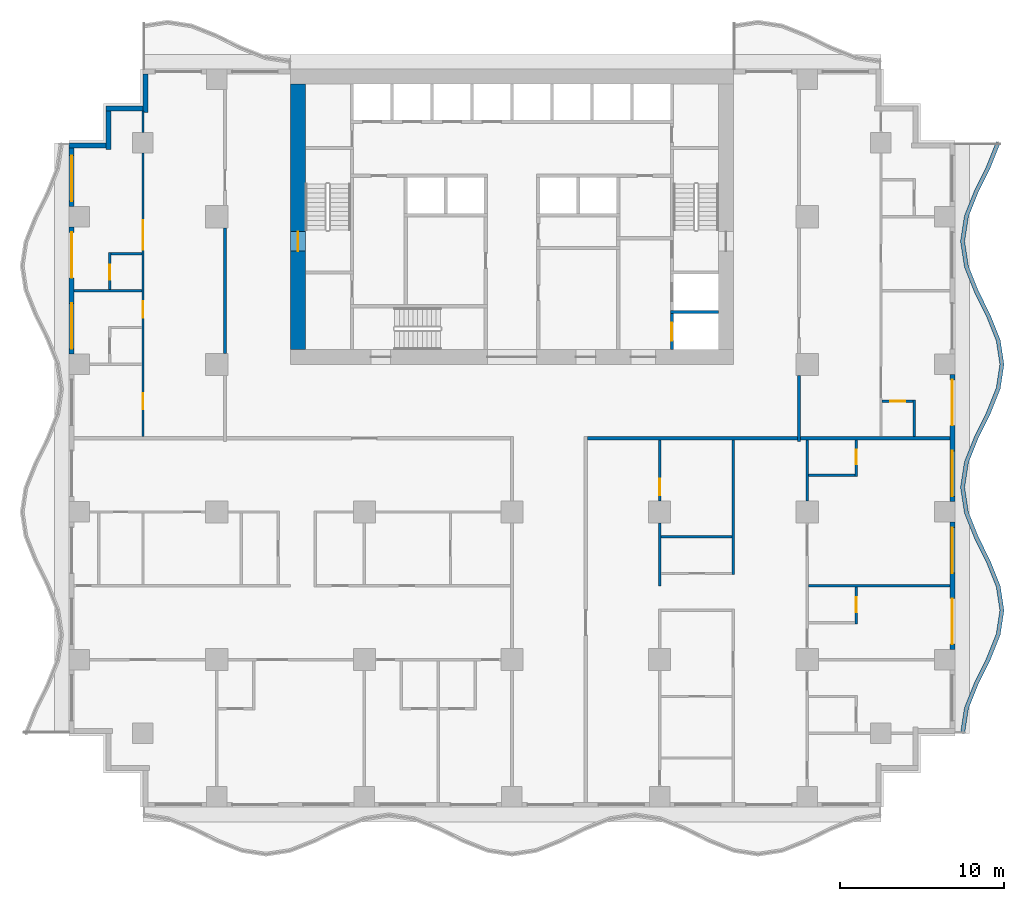
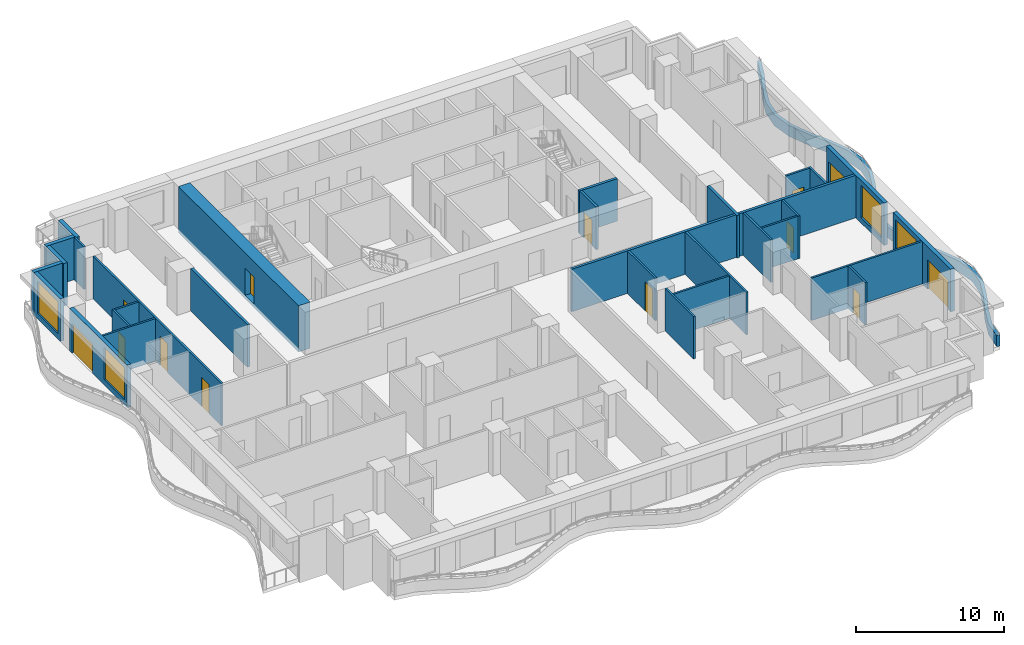
# One storey, part 4 of 13: 32 walls, 13 doors, 4 windows, 17 openings.
"""IFC4 building model written with IfcOpenShell, lengths in metres."""

from ifc_helpers import new_model, si_unit, direction, frame, frame_2d, origin, place, context, subcontext, project, spatial, polyline, rectangle, outline, extrude, material, layer, layer_set, type_object, element, fill, save


model = new_model("IFC4")

# Units and contexts
model_context = context("Model", 3, precision=1e-05, world=origin(), true_north=direction((0.0, 1.0)))
body_context = subcontext(model_context, "Body", "Model", "MODEL_VIEW")
ifc_project = project(units=[si_unit("LENGTHUNIT", "METRE"), si_unit("AREAUNIT", "SQUARE_METRE"), si_unit("VOLUMEUNIT", "CUBIC_METRE"), si_unit("PLANEANGLEUNIT", "RADIAN"), si_unit("MASSUNIT", "GRAM", prefix="KILO")], contexts=[model_context])

# Site, building, storey
site_placement = place(None, origin())
site = spatial("IfcSite", under=ifc_project, at=site_placement, CompositionType="ELEMENT")
building_placement = place(site_placement, origin())
building = spatial("IfcBuilding", under=site, at=building_placement, Name="Orbiselva Terraces", CompositionType="ELEMENT")
storey_placement = place(building_placement, frame((0.0, 0.0, 99.8)))
storey = spatial("IfcBuildingStorey", under=building, at=storey_placement, Name="L25", CompositionType="ELEMENT", Elevation=99.8)

# Wall, opening, door
ifc_material_1 = material(Name="Concrete C80/95", Category="concrete")
ifc_layer_1 = layer(ifc_material_1, 0.9)
ifc_layer_set_1 = layer_set([ifc_layer_1], Name="Concrete C80/95")
wall_type_1 = type_object("IfcWallType", Name="CORE WALL 900", PredefinedType="SHEAR", material=ifc_layer_set_1)
wall_1_placement = place(storey_placement, frame((-13.05, 21.6, -0.3), z_axis=(0.0, 0.0, 1.0), x_axis=(0.0, -1.0, 0.0)))
wall_1 = element("IfcWall", 1, at=wall_1_placement, inside=storey, type_object=wall_type_1, Name="Core wall L25 west", PredefinedType="SHEAR", context=body_context, shape_type="SweptSolid", body=[
    extrude(rectangle(XDim=16.2, YDim=0.9, at=frame_2d((8.1, 0.0))), origin(), (0.0, 0.0, 1.0), 3.8),
])
opening_1_placement = place(wall_1_placement, frame((9.0, 0.0, 0.3)))
opening_1 = element("IfcOpeningElement", 2, at=opening_1_placement, cuts=wall_1, Name="Opening DS1200", PredefinedType="OPENING", context=body_context, shape_type="SweptSolid", body=[
    extrude(rectangle(XDim=1.2, YDim=2.2, at=frame_2d((0.6, 1.1))), frame((0.0, 0.46, 0.0), z_axis=(0.0, -1.0, 0.0), x_axis=(1.0, 0.0, 0.0)), (0.0, 0.0, 1.0), 0.92),
])
ifc_material_2 = material(Name="Steel fire door", Category="steel")
door_type_1 = type_object("IfcDoorType", Name="STAIR DOOR 1200", OperationType="NOTDEFINED", PredefinedType="DOOR", material=ifc_material_2)
door_1_placement = place(opening_1_placement, frame((1.2, 0.0, 0.0), z_axis=(0.0, 0.0, 1.0), x_axis=(-1.0, 0.0, 0.0)))
door_1 = element("IfcDoor", 3, at=door_1_placement, inside=storey, type_object=door_type_1, Name="L25 EXIT STAIR S1 door", OperationType="SINGLE_SWING_RIGHT", OverallHeight=2.2, OverallWidth=1.2, PredefinedType="DOOR", context=body_context, shape_type="SweptSolid", body=[
    extrude(rectangle(XDim=1.2, YDim=2.2, at=frame_2d((0.6, 1.1))), frame((0.0, 0.025, 0.0), z_axis=(0.0, -1.0, 0.0), x_axis=(1.0, 0.0, 0.0)), (0.0, 0.0, 1.0), 0.05),
])
fill(opening_1, door_1)

ifc_material_3 = material(Name="Concrete C60/75", Category="concrete")
ifc_layer_2 = layer(ifc_material_3, 0.2)
ifc_layer_set_2 = layer_set([ifc_layer_2], Name="Concrete C60/75")
wall_type_2 = type_object("IfcWallType", Name="CORE-WALL-SHEAR-200", PredefinedType="SHEAR", material=ifc_layer_set_2)
wall_2_placement = place(storey_placement, frame((9.75, 5.4, 0.0), z_axis=(0.0, 0.0, 1.0), x_axis=(0.0, 1.0, 0.0)))
wall_2 = element("IfcWall", 4, at=wall_2_placement, inside=storey, type_object=wall_type_2, Name="L25 core wall 38", PredefinedType="SHEAR", context=body_context, shape_type="SweptSolid", body=[
    extrude(rectangle(XDim=2.2, YDim=0.2, at=frame_2d((1.1, 0.0))), origin(), (0.0, 0.0, 1.0), 3.5),
])
opening_2_placement = place(wall_2_placement, frame((0.55, 0.0, 0.0)))
opening_2 = element("IfcOpeningElement", 5, at=opening_2_placement, cuts=wall_2, Name="Opening LD-FF1", PredefinedType="OPENING", context=body_context, shape_type="SweptSolid", body=[
    extrude(rectangle(XDim=1.1, YDim=2.1, at=frame_2d((0.55, 1.05))), frame((0.0, 0.11, 0.0), z_axis=(0.0, -1.0, 0.0), x_axis=(1.0, 0.0, 0.0)), (0.0, 0.0, 1.0), 0.22),
])
ifc_material_4 = material(Name="Stainless steel landing door", Category="steel")
door_type_2 = type_object("IfcDoorType", Name="LANDING DOOR 1100", OperationType="SLIDING_TO_LEFT", PredefinedType="DOOR", material=ifc_material_4)
door_2_placement = place(opening_2_placement, origin())
door_2 = element("IfcDoor", 6, at=door_2_placement, inside=storey, type_object=door_type_2, Name="L25 landing door FF1", OperationType="SLIDING_TO_RIGHT", OverallHeight=2.1, OverallWidth=1.1, PredefinedType="DOOR", context=body_context, shape_type="SweptSolid", body=[
    extrude(rectangle(XDim=1.1, YDim=2.1, at=frame_2d((0.55, 1.05))), frame((0.0, 0.025, 0.0), z_axis=(0.0, -1.0, 0.0), x_axis=(1.0, 0.0, 0.0)), (0.0, 0.0, 1.0), 0.05),
])
fill(opening_2, door_2)

# Walls
wall_3_placement = place(storey_placement, frame((9.65, 7.7, 0.0), z_axis=(0.0, 0.0, 1.0), x_axis=(1.0, 0.0, 0.0)))
element("IfcWall", 7, at=wall_3_placement, inside=storey, type_object=wall_type_2, Name="L25 core wall 39", PredefinedType="SHEAR", context=body_context, shape_type="SweptSolid", body=[
    extrude(rectangle(XDim=2.95, YDim=0.2, at=frame_2d((1.475, 0.0))), origin(), (0.0, 0.0, 1.0), 3.5),
])
ifc_material_5 = material(Name="Concrete C40/50", Category="concrete")
ifc_layer_3 = layer(ifc_material_5, 0.25)
ifc_layer_set_3 = layer_set([ifc_layer_3], Name="Concrete C40/50")
wall_type_3 = type_object("IfcWallType", Name="ENV-PLANTER-250x900", PredefinedType="USERDEFINED", material=ifc_layer_set_3)
wall_4_placement = place(storey_placement, origin())
element("IfcWall", 8, at=wall_4_placement, inside=storey, type_object=wall_type_3, Name="Balcony planter L25 E", ObjectType="PLANTER", PredefinedType="USERDEFINED", context=body_context, shape_type="SweptSolid", body=[
    extrude(outline(polyline([(27.6, -18.0), (27.82918, -16.5), (28.42918, -15.0), (29.17082, -13.5), (29.77082, -12.0), (30.0, -10.5), (29.77082, -9.0), (29.17082, -7.5), (28.42918, -6.0), (27.82918, -4.5), (27.6, -3.0), (27.82918, -1.5), (28.42918, 0.0), (29.17082, 1.5), (29.77082, 3.0), (30.0, 4.5), (29.77082, 6.0), (29.17082, 7.5), (28.42918, 9.0), (27.82918, 10.5), (27.6, 12.0), (27.82918, 13.5), (28.42918, 15.0), (29.17082, 16.5), (29.77082, 18.0), (29.538701, 18.092848), (28.942355, 16.601983), (28.200715, 15.101983), (27.586388, 13.566166), (27.347099, 12.0), (27.586388, 10.433834), (28.200715, 8.898017), (28.942355, 7.398017), (29.528028, 5.933834), (29.747099, 4.5), (29.528028, 3.066166), (28.942355, 1.601983), (28.200715, 0.101983), (27.586388, -1.433834), (27.347099, -3.0), (27.586388, -4.566166), (28.200715, -6.101983), (28.942355, -7.601983), (29.528028, -9.066166), (29.747099, -10.5), (29.528028, -11.933834), (28.942355, -13.398017), (28.200715, -14.898017), (27.586388, -16.433834), (27.352868, -17.962242), (27.6, -18.0)])), origin(), (0.0, 0.0, 1.0), 0.9),
])

# Wall, openings, door, window
ifc_material_6 = material(Name="Terracotta cladding on masonry backing", Category="masonry")
ifc_layer_4 = layer(ifc_material_6, 0.3)
ifc_layer_set_4 = layer_set([ifc_layer_4], Name="Terracotta cladding on masonry backing")
wall_type_4 = type_object("IfcWallType", Name="ENV-WALL-TERRACOTTA-300", PredefinedType="SOLIDWALL", material=ifc_layer_set_4)
wall_5_placement = place(storey_placement, frame((26.85, -5.125, 0.0), z_axis=(0.0, 0.0, 1.0), x_axis=(0.0, -1.0, 0.0)))
wall_5 = element("IfcWall", 9, at=wall_5_placement, inside=storey, type_object=wall_type_4, Name="Facade wall L25 E", PredefinedType="SOLIDWALL", context=body_context, shape_type="SweptSolid", body=[
    extrude(rectangle(XDim=7.75, YDim=0.3, at=frame_2d((3.875, 0.0))), origin(), (0.0, 0.0, 1.0), 3.5),
])
opening_3_placement = place(wall_5_placement, frame((4.65, 0.0, 0.0)))
opening_3 = element("IfcOpeningElement", 10, at=opening_3_placement, cuts=wall_5, Name="Opening Z2-C-E12", PredefinedType="OPENING", context=body_context, shape_type="SweptSolid", body=[
    extrude(rectangle(XDim=2.775, YDim=2.4, at=frame_2d((1.3875, 1.2))), frame((0.0, 0.16, 0.0), z_axis=(0.0, -1.0, 0.0), x_axis=(1.0, 0.0, 0.0)), (0.0, 0.0, 1.0), 0.32),
])
opening_4_placement = place(wall_5_placement, frame((0.325, 0.0, 0.45)))
opening_4 = element("IfcOpeningElement", 11, at=opening_4_placement, cuts=wall_5, Name="Opening WN6", PredefinedType="OPENING", context=body_context, shape_type="SweptSolid", body=[
    extrude(rectangle(XDim=2.775, YDim=2.65, at=frame_2d((1.3875, 1.325))), frame((0.0, 0.16, 0.0), z_axis=(0.0, -1.0, 0.0), x_axis=(1.0, 0.0, 0.0)), (0.0, 0.0, 1.0), 0.32),
])
ifc_material_7 = material(Name="Clear low-e glazing in aluminium frame", Category="aluminium")
door_type_3 = type_object("IfcDoorType", Name="BALCONY DOOR 2775 X 2400", OperationType="DOUBLE_DOOR_SLIDING", PredefinedType="DOOR", material=ifc_material_7)
door_3_placement = place(opening_3_placement, origin())
door_3 = element("IfcDoor", 12, at=door_3_placement, inside=storey, type_object=door_type_3, Name="Z2-C-E12", OperationType="SINGLE_SWING_LEFT", OverallHeight=2.4, OverallWidth=2.775, PredefinedType="DOOR", context=body_context, shape_type="SweptSolid", body=[
    extrude(rectangle(XDim=2.775, YDim=2.4, at=frame_2d((1.3875, 1.2))), frame((0.0, 0.025, 0.0), z_axis=(0.0, -1.0, 0.0), x_axis=(1.0, 0.0, 0.0)), (0.0, 0.0, 1.0), 0.05),
])
fill(opening_3, door_3)
window_type = type_object("IfcWindowType", Name="WINDOW 2775 X 2650 S450", PartitioningType="TRIPLE_PANEL_VERTICAL", PredefinedType="WINDOW", material=ifc_material_7)
window_1_placement = place(opening_4_placement, origin())
window_1 = element("IfcWindow", 13, at=window_1_placement, inside=storey, type_object=window_type, Name="Window L25 E", OverallHeight=2.65, OverallWidth=2.775, PartitioningType="SINGLE_PANEL", PredefinedType="WINDOW", context=body_context, shape_type="SweptSolid", body=[
    extrude(rectangle(XDim=2.775, YDim=2.65, at=frame_2d((1.3875, 1.325))), frame((0.0, 0.03, 0.0), z_axis=(0.0, -1.0, 0.0), x_axis=(1.0, 0.0, 0.0)), (0.0, 0.0, 1.0), 0.06),
])
fill(opening_4, window_1)

wall_6_placement = place(storey_placement, frame((26.85, 3.875, 0.0), z_axis=(0.0, 0.0, 1.0), x_axis=(0.0, -1.0, 0.0)))
wall_6 = element("IfcWall", 14, at=wall_6_placement, inside=storey, type_object=wall_type_4, Name="Facade wall L25 E", PredefinedType="SOLIDWALL", context=body_context, shape_type="SweptSolid", body=[
    extrude(rectangle(XDim=7.75, YDim=0.3, at=frame_2d((3.875, 0.0))), origin(), (0.0, 0.0, 1.0), 3.5),
])
opening_5_placement = place(wall_6_placement, frame((4.65, 0.0, 0.45)))
opening_5 = element("IfcOpeningElement", 15, at=opening_5_placement, cuts=wall_6, Name="Opening WN6", PredefinedType="OPENING", context=body_context, shape_type="SweptSolid", body=[
    extrude(rectangle(XDim=2.775, YDim=2.65, at=frame_2d((1.3875, 1.325))), frame((0.0, 0.16, 0.0), z_axis=(0.0, -1.0, 0.0), x_axis=(1.0, 0.0, 0.0)), (0.0, 0.0, 1.0), 0.32),
])
opening_6_placement = place(wall_6_placement, frame((0.325, 0.0, 0.0)))
opening_6 = element("IfcOpeningElement", 16, at=opening_6_placement, cuts=wall_6, Name="Opening Z2-C-E17", PredefinedType="OPENING", context=body_context, shape_type="SweptSolid", body=[
    extrude(rectangle(XDim=2.775, YDim=2.4, at=frame_2d((1.3875, 1.2))), frame((0.0, 0.16, 0.0), z_axis=(0.0, -1.0, 0.0), x_axis=(1.0, 0.0, 0.0)), (0.0, 0.0, 1.0), 0.32),
])
door_4_placement = place(opening_6_placement, origin())
door_4 = element("IfcDoor", 17, at=door_4_placement, inside=storey, type_object=door_type_3, Name="Z2-C-E17", OperationType="SINGLE_SWING_LEFT", OverallHeight=2.4, OverallWidth=2.775, PredefinedType="DOOR", context=body_context, shape_type="SweptSolid", body=[
    extrude(rectangle(XDim=2.775, YDim=2.4, at=frame_2d((1.3875, 1.2))), frame((0.0, 0.025, 0.0), z_axis=(0.0, -1.0, 0.0), x_axis=(1.0, 0.0, 0.0)), (0.0, 0.0, 1.0), 0.05),
])
fill(opening_6, door_4)
window_2_placement = place(opening_5_placement, origin())
window_2 = element("IfcWindow", 18, at=window_2_placement, inside=storey, type_object=window_type, Name="Window L25 E", OverallHeight=2.65, OverallWidth=2.775, PartitioningType="SINGLE_PANEL", PredefinedType="WINDOW", context=body_context, shape_type="SweptSolid", body=[
    extrude(rectangle(XDim=2.775, YDim=2.65, at=frame_2d((1.3875, 1.325))), frame((0.0, 0.03, 0.0), z_axis=(0.0, -1.0, 0.0), x_axis=(1.0, 0.0, 0.0)), (0.0, 0.0, 1.0), 0.06),
])
fill(opening_5, window_2)

# Walls
wall_7_placement = place(storey_placement, frame((-22.35, 19.85, 0.0), z_axis=(0.0, 0.0, 1.0), x_axis=(0.0, 1.0, 0.0)))
element("IfcWall", 19, at=wall_7_placement, inside=storey, type_object=wall_type_4, Name="Facade wall L25 STEP", PredefinedType="SOLIDWALL", context=body_context, shape_type="SweptSolid", body=[
    extrude(rectangle(XDim=2.35, YDim=0.3, at=frame_2d((1.175, 0.0))), origin(), (0.0, 0.0, 1.0), 3.5),
])
wall_8_placement = place(storey_placement, frame((-24.75, 20.1, 0.0), z_axis=(0.0, 0.0, 1.0), x_axis=(1.0, 0.0, 0.0)))
element("IfcWall", 20, at=wall_8_placement, inside=storey, type_object=wall_type_4, Name="Facade wall L25 STEP", PredefinedType="SOLIDWALL", context=body_context, shape_type="SweptSolid", body=[
    extrude(rectangle(XDim=2.25, YDim=0.3, at=frame_2d((1.125, 0.0))), origin(), (0.0, 0.0, 1.0), 3.5),
])
wall_9_placement = place(storey_placement, frame((-24.6, 17.6, 0.0), z_axis=(0.0, 0.0, 1.0), x_axis=(0.0, 1.0, 0.0)))
element("IfcWall", 21, at=wall_9_placement, inside=storey, type_object=wall_type_4, Name="Facade wall L25 STEP", PredefinedType="SOLIDWALL", context=body_context, shape_type="SweptSolid", body=[
    extrude(rectangle(XDim=2.35, YDim=0.3, at=frame_2d((1.175, 0.0))), origin(), (0.0, 0.0, 1.0), 3.5),
])
wall_10_placement = place(storey_placement, frame((-27.0, 17.85, 0.0), z_axis=(0.0, 0.0, 1.0), x_axis=(1.0, 0.0, 0.0)))
element("IfcWall", 22, at=wall_10_placement, inside=storey, type_object=wall_type_4, Name="Facade wall L25 STEP", PredefinedType="SOLIDWALL", context=body_context, shape_type="SweptSolid", body=[
    extrude(rectangle(XDim=2.25, YDim=0.3, at=frame_2d((1.125, 0.0))), origin(), (0.0, 0.0, 1.0), 3.5),
])

# Wall, opening, window
wall_11_placement = place(storey_placement, frame((-26.85, 14.125, 0.0), z_axis=(0.0, 0.0, 1.0), x_axis=(0.0, 1.0, 0.0)))
wall_11 = element("IfcWall", 23, at=wall_11_placement, inside=storey, type_object=wall_type_4, Name="Facade wall L25 W", PredefinedType="SOLIDWALL", context=body_context, shape_type="SweptSolid", body=[
    extrude(rectangle(XDim=3.575, YDim=0.3, at=frame_2d((1.7875, 0.0))), origin(), (0.0, 0.0, 1.0), 3.5),
])
opening_7_placement = place(wall_11_placement, frame((0.325, 0.0, 0.45)))
opening_7 = element("IfcOpeningElement", 24, at=opening_7_placement, cuts=wall_11, Name="Opening WN6", PredefinedType="OPENING", context=body_context, shape_type="SweptSolid", body=[
    extrude(rectangle(XDim=2.775, YDim=2.65, at=frame_2d((1.3875, 1.325))), frame((0.0, 0.16, 0.0), z_axis=(0.0, -1.0, 0.0), x_axis=(1.0, 0.0, 0.0)), (0.0, 0.0, 1.0), 0.32),
])
window_3_placement = place(opening_7_placement, origin())
window_3 = element("IfcWindow", 25, at=window_3_placement, inside=storey, type_object=window_type, Name="Window L25 W", OverallHeight=2.65, OverallWidth=2.775, PartitioningType="SINGLE_PANEL", PredefinedType="WINDOW", context=body_context, shape_type="SweptSolid", body=[
    extrude(rectangle(XDim=2.775, YDim=2.65, at=frame_2d((1.3875, 1.325))), frame((0.0, 0.03, 0.0), z_axis=(0.0, -1.0, 0.0), x_axis=(1.0, 0.0, 0.0)), (0.0, 0.0, 1.0), 0.06),
])
fill(opening_7, window_3)

# Wall, openings, door, window
wall_12_placement = place(storey_placement, frame((-26.85, 5.125, 0.0), z_axis=(0.0, 0.0, 1.0), x_axis=(0.0, 1.0, 0.0)))
wall_12 = element("IfcWall", 26, at=wall_12_placement, inside=storey, type_object=wall_type_4, Name="Facade wall L25 W", PredefinedType="SOLIDWALL", context=body_context, shape_type="SweptSolid", body=[
    extrude(rectangle(XDim=7.75, YDim=0.3, at=frame_2d((3.875, 0.0))), origin(), (0.0, 0.0, 1.0), 3.5),
])
opening_8_placement = place(wall_12_placement, frame((4.65, 0.0, 0.0)))
opening_8 = element("IfcOpeningElement", 27, at=opening_8_placement, cuts=wall_12, Name="Opening Z2-C-E15", PredefinedType="OPENING", context=body_context, shape_type="SweptSolid", body=[
    extrude(rectangle(XDim=2.775, YDim=2.4, at=frame_2d((1.3875, 1.2))), frame((0.0, 0.16, 0.0), z_axis=(0.0, -1.0, 0.0), x_axis=(1.0, 0.0, 0.0)), (0.0, 0.0, 1.0), 0.32),
])
opening_9_placement = place(wall_12_placement, frame((0.325, 0.0, 0.45)))
opening_9 = element("IfcOpeningElement", 28, at=opening_9_placement, cuts=wall_12, Name="Opening WN6", PredefinedType="OPENING", context=body_context, shape_type="SweptSolid", body=[
    extrude(rectangle(XDim=2.775, YDim=2.65, at=frame_2d((1.3875, 1.325))), frame((0.0, 0.16, 0.0), z_axis=(0.0, -1.0, 0.0), x_axis=(1.0, 0.0, 0.0)), (0.0, 0.0, 1.0), 0.32),
])
door_5_placement = place(opening_8_placement, origin())
door_5 = element("IfcDoor", 29, at=door_5_placement, inside=storey, type_object=door_type_3, Name="Z2-C-E15", OperationType="SINGLE_SWING_LEFT", OverallHeight=2.4, OverallWidth=2.775, PredefinedType="DOOR", context=body_context, shape_type="SweptSolid", body=[
    extrude(rectangle(XDim=2.775, YDim=2.4, at=frame_2d((1.3875, 1.2))), frame((0.0, 0.025, 0.0), z_axis=(0.0, -1.0, 0.0), x_axis=(1.0, 0.0, 0.0)), (0.0, 0.0, 1.0), 0.05),
])
fill(opening_8, door_5)
window_4_placement = place(opening_9_placement, origin())
window_4 = element("IfcWindow", 30, at=window_4_placement, inside=storey, type_object=window_type, Name="Window L25 W", OverallHeight=2.65, OverallWidth=2.775, PartitioningType="SINGLE_PANEL", PredefinedType="WINDOW", context=body_context, shape_type="SweptSolid", body=[
    extrude(rectangle(XDim=2.775, YDim=2.65, at=frame_2d((1.3875, 1.325))), frame((0.0, 0.03, 0.0), z_axis=(0.0, -1.0, 0.0), x_axis=(1.0, 0.0, 0.0)), (0.0, 0.0, 1.0), 0.06),
])
fill(opening_9, window_4)

# Walls
ifc_material_8 = material(Name="Plasterboard on steel stud partition", Category="steel")
ifc_layer_5 = layer(ifc_material_8, 0.2)
ifc_layer_set_5 = layer_set([ifc_layer_5], Name="Plasterboard on steel stud partition")
wall_type_5 = type_object("IfcWallType", Name="UNIT-ENTRANCE-WALL-200", PredefinedType="PARTITIONING", material=ifc_layer_set_5)
wall_13_placement = place(storey_placement, frame((4.6, 0.0, 0.0), z_axis=(0.0, 0.0, 1.0), x_axis=(1.0, 0.0, 0.0)))
element("IfcWall", 31, at=wall_13_placement, inside=storey, type_object=wall_type_5, Name="PARTITION L25-026", PredefinedType="PARTITIONING", context=body_context, shape_type="SweptSolid", body=[
    extrude(rectangle(XDim=12.8, YDim=0.2, at=frame_2d((6.4, 0.0))), origin(), (0.0, 0.0, 1.0), 3.5),
])
wall_14_placement = place(storey_placement, frame((-17.5, 5.175, 0.0), z_axis=(0.0, 0.0, 1.0), x_axis=(0.0, 1.0, 0.0)))
element("IfcWall", 32, at=wall_14_placement, inside=storey, type_object=wall_type_5, Name="PARTITION L25-045", PredefinedType="PARTITIONING", context=body_context, shape_type="SweptSolid", body=[
    extrude(rectangle(XDim=7.65, YDim=0.2, at=frame_2d((3.825, 0.0))), origin(), (0.0, 0.0, 1.0), 3.5),
])
wall_15_placement = place(storey_placement, frame((17.5, -0.2, 0.0), z_axis=(0.0, 0.0, 1.0), x_axis=(0.0, 1.0, 0.0)))
element("IfcWall", 33, at=wall_15_placement, inside=storey, type_object=wall_type_5, Name="PARTITION L25-067", PredefinedType="PARTITIONING", context=body_context, shape_type="SweptSolid", body=[
    extrude(rectangle(XDim=4.025, YDim=0.2, at=frame_2d((2.0125, 0.0))), origin(), (0.0, 0.0, 1.0), 3.5),
])
ifc_layer_6 = layer(ifc_material_8, 0.15)
ifc_layer_set_6 = layer_set([ifc_layer_6], Name="Plasterboard on steel stud partition")
wall_type_6 = type_object("IfcWallType", Name="UNIT-PARTITION-150", PredefinedType="PARTITIONING", material=ifc_layer_set_6)
wall_16_placement = place(storey_placement, frame((18.075, -9.0, 0.0), z_axis=(0.0, 0.0, 1.0), x_axis=(1.0, 0.0, 0.0)))
element("IfcWall", 34, at=wall_16_placement, inside=storey, type_object=wall_type_6, Name="PARTITION L25-017", PredefinedType="PARTITIONING", context=body_context, shape_type="SweptSolid", body=[
    extrude(rectangle(XDim=8.625, YDim=0.15, at=frame_2d((4.3125, 0.0))), origin(), (0.0, 0.0, 1.0), 3.5),
])
wall_17_placement = place(storey_placement, frame((9.075, -6.0, 0.0), z_axis=(0.0, 0.0, 1.0), x_axis=(1.0, 0.0, 0.0)))
element("IfcWall", 35, at=wall_17_placement, inside=storey, type_object=wall_type_6, Name="PARTITION L25-019", PredefinedType="PARTITIONING", context=body_context, shape_type="SweptSolid", body=[
    extrude(rectangle(XDim=4.35, YDim=0.15, at=frame_2d((2.175, 0.0))), origin(), (0.0, 0.0, 1.0), 3.5),
])
wall_18_placement = place(storey_placement, frame((18.075, -2.25, 0.0), z_axis=(0.0, 0.0, 1.0), x_axis=(1.0, 0.0, 0.0)))
element("IfcWall", 36, at=wall_18_placement, inside=storey, type_object=wall_type_6, Name="PARTITION L25-024", PredefinedType="PARTITIONING", context=body_context, shape_type="SweptSolid", body=[
    extrude(rectangle(XDim=2.85, YDim=0.15, at=frame_2d((1.425, 0.0))), origin(), (0.0, 0.0, 1.0), 3.5),
])

# Wall, opening, door
wall_19_placement = place(storey_placement, frame((24.45, 2.25, 0.0), z_axis=(0.0, 0.0, 1.0), x_axis=(-1.0, 0.0, 0.0)))
wall_19 = element("IfcWall", 37, at=wall_19_placement, inside=storey, type_object=wall_type_6, Name="PARTITION L25-029", PredefinedType="PARTITIONING", context=body_context, shape_type="SweptSolid", body=[
    extrude(rectangle(XDim=1.875, YDim=0.15, at=frame_2d((0.9375, 0.0))), origin(), (0.0, 0.0, 1.0), 3.5),
])
opening_10_placement = place(wall_19_placement, frame((0.475, 0.0, 0.0)))
opening_10 = element("IfcOpeningElement", 38, at=opening_10_placement, cuts=wall_19, Name="Opening Z2-C-09", PredefinedType="OPENING", context=body_context, shape_type="SweptSolid", body=[
    extrude(rectangle(XDim=0.9, YDim=2.1, at=frame_2d((0.45, 1.05))), frame((0.0, 0.085, 0.0), z_axis=(0.0, -1.0, 0.0), x_axis=(1.0, 0.0, 0.0)), (0.0, 0.0, 1.0), 0.17),
])
ifc_material_9 = material(Name="Painted timber door leaf", Category="wood")
door_type_4 = type_object("IfcDoorType", Name="BATH DOOR 900", OperationType="NOTDEFINED", PredefinedType="DOOR", material=ifc_material_9)
door_6_placement = place(opening_10_placement, origin())
door_6 = element("IfcDoor", 39, at=door_6_placement, inside=storey, type_object=door_type_4, Name="Z2-C-09", OperationType="SINGLE_SWING_LEFT", OverallHeight=2.1, OverallWidth=0.9, PredefinedType="DOOR", context=body_context, shape_type="SweptSolid", body=[
    extrude(rectangle(XDim=0.9, YDim=2.1, at=frame_2d((0.45, 1.05))), frame((0.0, 0.025, 0.0), z_axis=(0.0, -1.0, 0.0), x_axis=(1.0, 0.0, 0.0)), (0.0, 0.0, 1.0), 0.05),
])
fill(opening_10, door_6)

# Walls
wall_20_placement = place(storey_placement, frame((-26.7, 9.0, 0.0), z_axis=(0.0, 0.0, 1.0), x_axis=(1.0, 0.0, 0.0)))
element("IfcWall", 40, at=wall_20_placement, inside=storey, type_object=wall_type_6, Name="PARTITION L25-032", PredefinedType="PARTITIONING", context=body_context, shape_type="SweptSolid", body=[
    extrude(rectangle(XDim=4.125, YDim=0.15, at=frame_2d((2.0625, 0.0))), origin(), (0.0, 0.0, 1.0), 3.5),
])
wall_21_placement = place(storey_placement, frame((-24.45, 11.25, 0.0), z_axis=(0.0, 0.0, 1.0), x_axis=(1.0, 0.0, 0.0)))
element("IfcWall", 41, at=wall_21_placement, inside=storey, type_object=wall_type_6, Name="PARTITION L25-034", PredefinedType="PARTITIONING", context=body_context, shape_type="SweptSolid", body=[
    extrude(rectangle(XDim=1.875, YDim=0.15, at=frame_2d((0.9375, 0.0))), origin(), (0.0, 0.0, 1.0), 3.5),
])

# Wall, opening, door
wall_22_placement = place(storey_placement, frame((-24.525, 11.325, 0.0), z_axis=(0.0, 0.0, 1.0), x_axis=(0.0, -1.0, 0.0)))
wall_22 = element("IfcWall", 42, at=wall_22_placement, inside=storey, type_object=wall_type_6, Name="PARTITION L25-039", PredefinedType="PARTITIONING", context=body_context, shape_type="SweptSolid", body=[
    extrude(rectangle(XDim=2.25, YDim=0.15, at=frame_2d((1.125, 0.0))), origin(), (0.0, 0.0, 1.0), 3.5),
])
opening_11_placement = place(wall_22_placement, frame((0.75, 0.0, 0.0)))
opening_11 = element("IfcOpeningElement", 43, at=opening_11_placement, cuts=wall_22, Name="Opening Z2-C-06", PredefinedType="OPENING", context=body_context, shape_type="SweptSolid", body=[
    extrude(rectangle(XDim=0.9, YDim=2.1, at=frame_2d((0.45, 1.05))), frame((0.0, 0.085, 0.0), z_axis=(0.0, -1.0, 0.0), x_axis=(1.0, 0.0, 0.0)), (0.0, 0.0, 1.0), 0.17),
])
door_7_placement = place(opening_11_placement, origin())
door_7 = element("IfcDoor", 44, at=door_7_placement, inside=storey, type_object=door_type_4, Name="Z2-C-06", OperationType="SINGLE_SWING_RIGHT", OverallHeight=2.1, OverallWidth=0.9, PredefinedType="DOOR", context=body_context, shape_type="SweptSolid", body=[
    extrude(rectangle(XDim=0.9, YDim=2.1, at=frame_2d((0.45, 1.05))), frame((0.0, 0.025, 0.0), z_axis=(0.0, -1.0, 0.0), x_axis=(1.0, 0.0, 0.0)), (0.0, 0.0, 1.0), 0.05),
])
fill(opening_11, door_7)

# Wall, openings, doors
wall_23_placement = place(storey_placement, frame((-22.5, 0.1, 0.0), z_axis=(0.0, 0.0, 1.0), x_axis=(0.0, 1.0, 0.0)))
wall_23 = element("IfcWall", 45, at=wall_23_placement, inside=storey, type_object=wall_type_6, Name="PARTITION L25-041", PredefinedType="PARTITIONING", context=body_context, shape_type="SweptSolid", body=[
    extrude(rectangle(XDim=17.275, YDim=0.15, at=frame_2d((8.6375, 0.0))), origin(), (0.0, 0.0, 1.0), 3.5),
])
opening_12_placement = place(wall_23_placement, frame((1.65, 0.0, 0.0)))
opening_12 = element("IfcOpeningElement", 46, at=opening_12_placement, cuts=wall_23, Name="Opening Z2-C-02", PredefinedType="OPENING", context=body_context, shape_type="SweptSolid", body=[
    extrude(rectangle(XDim=1.0, YDim=2.4, at=frame_2d((0.5, 1.2))), frame((0.0, 0.085, 0.0), z_axis=(0.0, -1.0, 0.0), x_axis=(1.0, 0.0, 0.0)), (0.0, 0.0, 1.0), 0.17),
])
opening_13_placement = place(wall_23_placement, frame((7.25, 0.0, 0.0)))
opening_13 = element("IfcOpeningElement", 47, at=opening_13_placement, cuts=wall_23, Name="Opening Z2-C-03", PredefinedType="OPENING", context=body_context, shape_type="SweptSolid", body=[
    extrude(rectangle(XDim=1.0, YDim=2.4, at=frame_2d((0.5, 1.2))), frame((0.0, 0.085, 0.0), z_axis=(0.0, -1.0, 0.0), x_axis=(1.0, 0.0, 0.0)), (0.0, 0.0, 1.0), 0.17),
])
opening_14_placement = place(wall_23_placement, frame((11.4, 0.0, 0.0)))
opening_14 = element("IfcOpeningElement", 48, at=opening_14_placement, cuts=wall_23, Name="Opening Z2-C-05", PredefinedType="OPENING", context=body_context, shape_type="SweptSolid", body=[
    extrude(rectangle(XDim=1.8, YDim=2.4, at=frame_2d((0.9, 1.2))), frame((0.0, 0.085, 0.0), z_axis=(0.0, -1.0, 0.0), x_axis=(1.0, 0.0, 0.0)), (0.0, 0.0, 1.0), 0.17),
])
door_type_5 = type_object("IfcDoorType", Name="DOUBLE DOOR 1800", OperationType="NOTDEFINED", PredefinedType="DOOR", material=ifc_material_9)
door_8_placement = place(opening_14_placement, origin())
door_8 = element("IfcDoor", 49, at=door_8_placement, inside=storey, type_object=door_type_5, Name="Z2-C-05", OperationType="DOUBLE_DOOR_SINGLE_SWING", OverallHeight=2.4, OverallWidth=1.8, PredefinedType="DOOR", context=body_context, shape_type="SweptSolid", body=[
    extrude(rectangle(XDim=1.8, YDim=2.4, at=frame_2d((0.9, 1.2))), frame((0.0, 0.025, 0.0), z_axis=(0.0, -1.0, 0.0), x_axis=(1.0, 0.0, 0.0)), (0.0, 0.0, 1.0), 0.05),
])
fill(opening_14, door_8)
door_type_6 = type_object("IfcDoorType", Name="ROOM DOOR 1000", OperationType="NOTDEFINED", PredefinedType="DOOR", material=ifc_material_9)
door_9_placement = place(opening_12_placement, origin())
door_9 = element("IfcDoor", 50, at=door_9_placement, inside=storey, type_object=door_type_6, Name="Z2-C-02", OperationType="SINGLE_SWING_LEFT", OverallHeight=2.4, OverallWidth=1.0, PredefinedType="DOOR", context=body_context, shape_type="SweptSolid", body=[
    extrude(rectangle(XDim=1.0, YDim=2.4, at=frame_2d((0.5, 1.2))), frame((0.0, 0.025, 0.0), z_axis=(0.0, -1.0, 0.0), x_axis=(1.0, 0.0, 0.0)), (0.0, 0.0, 1.0), 0.05),
])
fill(opening_12, door_9)
door_10_placement = place(opening_13_placement, origin())
door_10 = element("IfcDoor", 51, at=door_10_placement, inside=storey, type_object=door_type_6, Name="Z2-C-03", OperationType="SINGLE_SWING_LEFT", OverallHeight=2.4, OverallWidth=1.0, PredefinedType="DOOR", context=body_context, shape_type="SweptSolid", body=[
    extrude(rectangle(XDim=1.0, YDim=2.4, at=frame_2d((0.5, 1.2))), frame((0.0, 0.025, 0.0), z_axis=(0.0, -1.0, 0.0), x_axis=(1.0, 0.0, 0.0)), (0.0, 0.0, 1.0), 0.05),
])
fill(opening_13, door_10)

# Walls
wall_24_placement = place(storey_placement, frame((-22.5, 18.625, 0.0), z_axis=(0.0, 0.0, 1.0), x_axis=(0.0, 1.0, 0.0)))
element("IfcWall", 52, at=wall_24_placement, inside=storey, type_object=wall_type_6, Name="PARTITION L25-042", PredefinedType="PARTITIONING", context=body_context, shape_type="SweptSolid", body=[
    extrude(rectangle(XDim=1.325, YDim=0.15, at=frame_2d((0.6625, 0.0))), origin(), (0.0, 0.0, 1.0), 3.5),
])
wall_25_placement = place(storey_placement, frame((9.0, -9.0, 0.0), z_axis=(0.0, 0.0, 1.0), x_axis=(0.0, 1.0, 0.0)))
element("IfcWall", 53, at=wall_25_placement, inside=storey, type_object=wall_type_6, Name="PARTITION L25-063", PredefinedType="PARTITIONING", context=body_context, shape_type="SweptSolid", body=[
    extrude(rectangle(XDim=3.825, YDim=0.15, at=frame_2d((1.9125, 0.0))), origin(), (0.0, 0.0, 1.0), 3.5),
])

# Wall, opening, door
wall_26_placement = place(storey_placement, frame((9.0, -0.1, 0.0), z_axis=(0.0, 0.0, 1.0), x_axis=(0.0, -1.0, 0.0)))
wall_26 = element("IfcWall", 54, at=wall_26_placement, inside=storey, type_object=wall_type_6, Name="PARTITION L25-064", PredefinedType="PARTITIONING", context=body_context, shape_type="SweptSolid", body=[
    extrude(rectangle(XDim=3.725, YDim=0.15, at=frame_2d((1.8625, 0.0))), origin(), (0.0, 0.0, 1.0), 3.5),
])
opening_15_placement = place(wall_26_placement, frame((2.375, 0.0, 0.0)))
opening_15 = element("IfcOpeningElement", 55, at=opening_15_placement, cuts=wall_26, Name="Opening Z2-C-29", PredefinedType="OPENING", context=body_context, shape_type="SweptSolid", body=[
    extrude(rectangle(XDim=1.0, YDim=2.4, at=frame_2d((0.5, 1.2))), frame((0.0, 0.085, 0.0), z_axis=(0.0, -1.0, 0.0), x_axis=(1.0, 0.0, 0.0)), (0.0, 0.0, 1.0), 0.17),
])
door_11_placement = place(opening_15_placement, origin())
door_11 = element("IfcDoor", 56, at=door_11_placement, inside=storey, type_object=door_type_6, Name="Z2-C-29", OperationType="SINGLE_SWING_RIGHT", OverallHeight=2.4, OverallWidth=1.0, PredefinedType="DOOR", context=body_context, shape_type="SweptSolid", body=[
    extrude(rectangle(XDim=1.0, YDim=2.4, at=frame_2d((0.5, 1.2))), frame((0.0, 0.025, 0.0), z_axis=(0.0, -1.0, 0.0), x_axis=(1.0, 0.0, 0.0)), (0.0, 0.0, 1.0), 0.05),
])
fill(opening_15, door_11)

# Walls
wall_27_placement = place(storey_placement, frame((13.5, -8.325, 0.0), z_axis=(0.0, 0.0, 1.0), x_axis=(0.0, 1.0, 0.0)))
element("IfcWall", 57, at=wall_27_placement, inside=storey, type_object=wall_type_6, Name="PARTITION L25-066", PredefinedType="PARTITIONING", context=body_context, shape_type="SweptSolid", body=[
    extrude(rectangle(XDim=8.225, YDim=0.15, at=frame_2d((4.1125, 0.0))), origin(), (0.0, 0.0, 1.0), 3.5),
])
wall_28_placement = place(storey_placement, frame((18.0, -3.825, 0.0), z_axis=(0.0, 0.0, 1.0), x_axis=(0.0, 1.0, 0.0)))
element("IfcWall", 58, at=wall_28_placement, inside=storey, type_object=wall_type_6, Name="PARTITION L25-072", PredefinedType="PARTITIONING", context=body_context, shape_type="SweptSolid", body=[
    extrude(rectangle(XDim=3.725, YDim=0.15, at=frame_2d((1.8625, 0.0))), origin(), (0.0, 0.0, 1.0), 3.5),
])

# Wall, opening, door
wall_29_placement = place(storey_placement, frame((21.0, -11.325, 0.0), z_axis=(0.0, 0.0, 1.0), x_axis=(0.0, 1.0, 0.0)))
wall_29 = element("IfcWall", 59, at=wall_29_placement, inside=storey, type_object=wall_type_6, Name="PARTITION L25-074", PredefinedType="PARTITIONING", context=body_context, shape_type="SweptSolid", body=[
    extrude(rectangle(XDim=2.25, YDim=0.15, at=frame_2d((1.125, 0.0))), origin(), (0.0, 0.0, 1.0), 3.5),
])
opening_16_placement = place(wall_29_placement, frame((0.725, 0.0, 0.0)))
opening_16 = element("IfcOpeningElement", 60, at=opening_16_placement, cuts=wall_29, Name="Opening Z2-C-37", PredefinedType="OPENING", context=body_context, shape_type="SweptSolid", body=[
    extrude(rectangle(XDim=0.9, YDim=2.1, at=frame_2d((0.45, 1.05))), frame((0.0, 0.085, 0.0), z_axis=(0.0, -1.0, 0.0), x_axis=(1.0, 0.0, 0.0)), (0.0, 0.0, 1.0), 0.17),
])
door_12_placement = place(opening_16_placement, origin())
door_12 = element("IfcDoor", 61, at=door_12_placement, inside=storey, type_object=door_type_4, Name="Z2-C-37", OperationType="SINGLE_SWING_RIGHT", OverallHeight=2.1, OverallWidth=0.9, PredefinedType="DOOR", context=body_context, shape_type="SweptSolid", body=[
    extrude(rectangle(XDim=0.9, YDim=2.1, at=frame_2d((0.45, 1.05))), frame((0.0, 0.025, 0.0), z_axis=(0.0, -1.0, 0.0), x_axis=(1.0, 0.0, 0.0)), (0.0, 0.0, 1.0), 0.05),
])
fill(opening_16, door_12)

wall_30_placement = place(storey_placement, frame((21.0, -2.325, 0.0), z_axis=(0.0, 0.0, 1.0), x_axis=(0.0, 1.0, 0.0)))
wall_30 = element("IfcWall", 62, at=wall_30_placement, inside=storey, type_object=wall_type_6, Name="PARTITION L25-075", PredefinedType="PARTITIONING", context=body_context, shape_type="SweptSolid", body=[
    extrude(rectangle(XDim=2.225, YDim=0.15, at=frame_2d((1.1125, 0.0))), origin(), (0.0, 0.0, 1.0), 3.5),
])
opening_17_placement = place(wall_30_placement, frame((0.725, 0.0, 0.0)))
opening_17 = element("IfcOpeningElement", 63, at=opening_17_placement, cuts=wall_30, Name="Opening Z2-C-35", PredefinedType="OPENING", context=body_context, shape_type="SweptSolid", body=[
    extrude(rectangle(XDim=0.9, YDim=2.1, at=frame_2d((0.45, 1.05))), frame((0.0, 0.085, 0.0), z_axis=(0.0, -1.0, 0.0), x_axis=(1.0, 0.0, 0.0)), (0.0, 0.0, 1.0), 0.17),
])
door_13_placement = place(opening_17_placement, origin())
door_13 = element("IfcDoor", 64, at=door_13_placement, inside=storey, type_object=door_type_4, Name="Z2-C-35", OperationType="SINGLE_SWING_RIGHT", OverallHeight=2.1, OverallWidth=0.9, PredefinedType="DOOR", context=body_context, shape_type="SweptSolid", body=[
    extrude(rectangle(XDim=0.9, YDim=2.1, at=frame_2d((0.45, 1.05))), frame((0.0, 0.025, 0.0), z_axis=(0.0, -1.0, 0.0), x_axis=(1.0, 0.0, 0.0)), (0.0, 0.0, 1.0), 0.05),
])
fill(opening_17, door_13)

# Walls
wall_31_placement = place(storey_placement, frame((24.525, 0.1, 0.0), z_axis=(0.0, 0.0, 1.0), x_axis=(0.0, 1.0, 0.0)))
element("IfcWall", 65, at=wall_31_placement, inside=storey, type_object=wall_type_6, Name="PARTITION L25-078", PredefinedType="PARTITIONING", context=body_context, shape_type="SweptSolid", body=[
    extrude(rectangle(XDim=2.225, YDim=0.15, at=frame_2d((1.1125, 0.0))), origin(), (0.0, 0.0, 1.0), 3.5),
])
ifc_layer_7 = layer(ifc_material_8, 0.2)
ifc_layer_set_7 = layer_set([ifc_layer_7], Name="Plasterboard on steel stud partition")
wall_type_7 = type_object("IfcWallType", Name="UNIT-PARTY-WALL-200", PredefinedType="PARTITIONING", material=ifc_layer_set_7)
wall_32_placement = place(storey_placement, frame((17.6, 0.0, 0.0), z_axis=(0.0, 0.0, 1.0), x_axis=(1.0, 0.0, 0.0)))
element("IfcWall", 66, at=wall_32_placement, inside=storey, type_object=wall_type_7, Name="PARTITION L25-028", PredefinedType="PARTITIONING", context=body_context, shape_type="SweptSolid", body=[
    extrude(rectangle(XDim=9.1, YDim=0.2, at=frame_2d((4.55, 0.0))), origin(), (0.0, 0.0, 1.0), 3.5),
])

save(model, "model.ifc")
